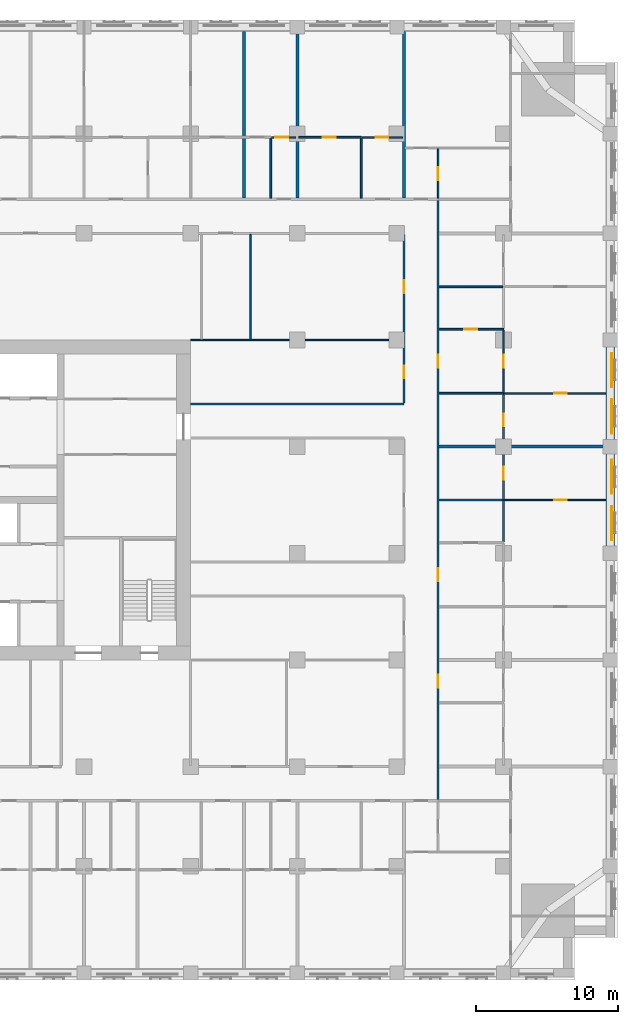
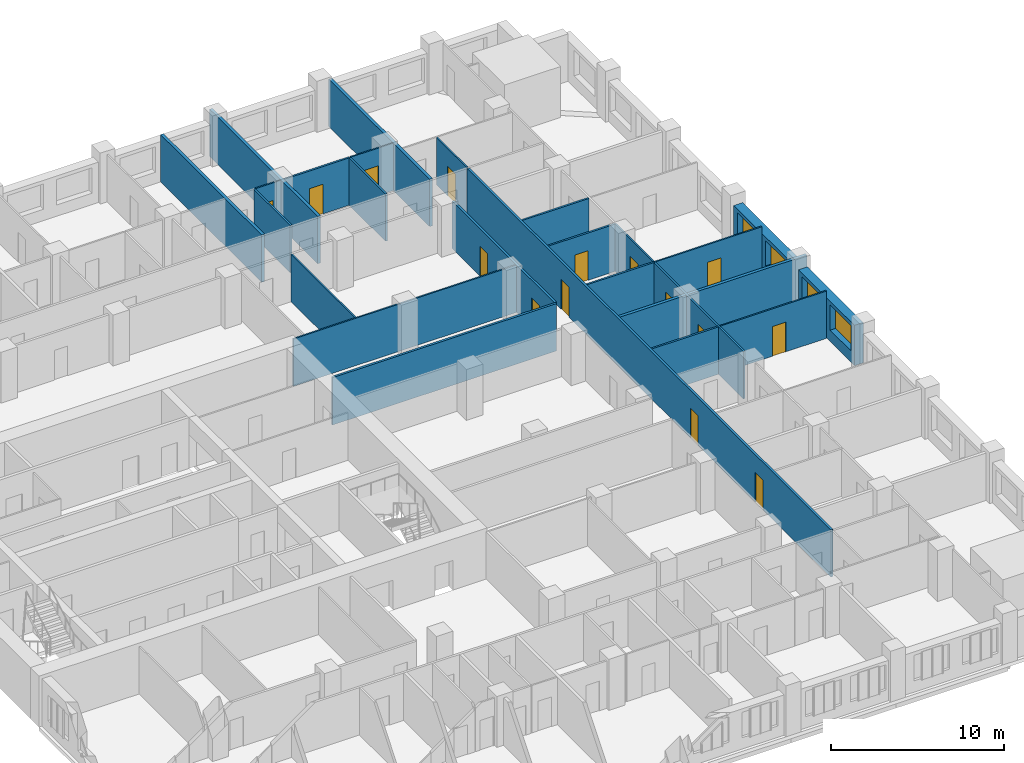
# One storey, part 10 of 14: 25 walls, 15 doors, 4 windows, 19 openings.
"""IFC4 building model written with IfcOpenShell, lengths in metres."""

from ifc_helpers import new_model, si_unit, direction, frame, frame_2d, origin, place, context, subcontext, project, spatial, rectangle, extrude, material, layer, layer_set, type_object, element, fill, save


model = new_model("IFC4")

# Units and contexts
model_context = context("Model", 3, precision=1e-05, world=origin(), true_north=direction((0.0, 1.0)))
body_context = subcontext(model_context, "Body", "Model", "MODEL_VIEW")
ifc_project = project(units=[si_unit("LENGTHUNIT", "METRE"), si_unit("AREAUNIT", "SQUARE_METRE"), si_unit("VOLUMEUNIT", "CUBIC_METRE"), si_unit("PLANEANGLEUNIT", "RADIAN"), si_unit("MASSUNIT", "GRAM", prefix="KILO")], contexts=[model_context])

# Site, building, storey
site_placement = place(None, origin())
site = spatial("IfcSite", under=ifc_project, at=site_placement, CompositionType="ELEMENT")
building_placement = place(site_placement, origin())
building = spatial("IfcBuilding", under=site, at=building_placement, Name="Tamorin Gate", CompositionType="ELEMENT")
storey_placement = place(building_placement, frame((0.0, 0.0, 89.89990234375)))
storey = spatial("IfcBuildingStorey", under=building, at=storey_placement, Name="L21", CompositionType="ELEMENT", Elevation=89.89990234375)

# Wall, openings, windows
ifc_material_1 = material(Name="Precast concrete C40/50", Category="concrete")
ifc_layer_1 = layer(ifc_material_1, 0.60009765625)
ifc_layer_set_1 = layer_set([ifc_layer_1], Name="Precast concrete C40/50")
wall_type_1 = type_object("IfcWallType", Name="Board-marked concrete facade panel 600", PredefinedType="SOLIDWALL", material=ifc_layer_set_1)
wall_1_placement = place(storey_placement, frame((89.5, 68.0, 0.0), z_axis=(0.0, 0.0, 1.0), x_axis=(0.0, 1.0, 0.0)))
wall_1 = element("IfcWall", 1, at=wall_1_placement, inside=storey, type_object=wall_type_1, Name="Facade panel", PredefinedType="SOLIDWALL", context=body_context, shape_type="SweptSolid", body=[
    extrude(rectangle(XDim=6.5, YDim=0.60009765625, at=frame_2d((3.25, 0.0))), origin(), (0.0, 0.0, 1.0), 2.85009765625),
])
opening_1_placement = place(wall_1_placement, frame((0.425048828125, 0.0, 0.800048828125)))
opening_1 = element("IfcOpeningElement", 2, at=opening_1_placement, cuts=wall_1, Name="Opening WN1", PredefinedType="OPENING", context=body_context, shape_type="SweptSolid", body=[
    extrude(rectangle(XDim=2.39990234375, YDim=1.800048828125, at=frame_2d((1.199951171875, 0.89990234375))), frame((0.0, 0.31005859375, 0.0), z_axis=(0.0, -1.0, 0.0), x_axis=(1.0, 0.0, 0.0)), (0.0, 0.0, 1.0), 0.6201171875),
])
opening_2_placement = place(wall_1_placement, frame((3.675048828125, 0.0, 0.800048828125)))
opening_2 = element("IfcOpeningElement", 3, at=opening_2_placement, cuts=wall_1, Name="Opening WN1", PredefinedType="OPENING", context=body_context, shape_type="SweptSolid", body=[
    extrude(rectangle(XDim=2.39990234375, YDim=1.800048828125, at=frame_2d((1.199951171875, 0.89990234375))), frame((0.0, 0.31005859375, 0.0), z_axis=(0.0, -1.0, 0.0), x_axis=(1.0, 0.0, 0.0)), (0.0, 0.0, 1.0), 0.6201171875),
])
ifc_material_2 = material(Name="Clear glass in aluminium frame", Category="aluminium")
window_type = type_object("IfcWindowType", Name="Deep-set window 2400x1800", PartitioningType="SINGLE_PANEL", PredefinedType="WINDOW", material=ifc_material_2)
window_1_placement = place(opening_1_placement, origin())
window_1 = element("IfcWindow", 4, at=window_1_placement, inside=storey, type_object=window_type, Name="Deep-set window", OverallHeight=1.800048828125, OverallWidth=2.39990234375, PartitioningType="SINGLE_PANEL", PredefinedType="WINDOW", context=body_context, shape_type="SweptSolid", body=[
    extrude(rectangle(XDim=2.39990234375, YDim=1.800048828125, at=frame_2d((1.199951171875, 0.89990234375))), frame((0.0, -0.070068359375, 0.0), z_axis=(0.0, -1.0, 0.0), x_axis=(1.0, 0.0, 0.0)), (0.0, 0.0, 1.0), 0.06005859375),
])
fill(opening_1, window_1)
window_2_placement = place(opening_2_placement, origin())
window_2 = element("IfcWindow", 5, at=window_2_placement, inside=storey, type_object=window_type, Name="Deep-set window", OverallHeight=1.800048828125, OverallWidth=2.39990234375, PartitioningType="SINGLE_PANEL", PredefinedType="WINDOW", context=body_context, shape_type="SweptSolid", body=[
    extrude(rectangle(XDim=2.39990234375, YDim=1.800048828125, at=frame_2d((1.199951171875, 0.89990234375))), frame((0.0, -0.070068359375, 0.0), z_axis=(0.0, -1.0, 0.0), x_axis=(1.0, 0.0, 0.0)), (0.0, 0.0, 1.0), 0.06005859375),
])
fill(opening_2, window_2)

wall_2_placement = place(storey_placement, frame((89.5, 75.5, 0.0), z_axis=(0.0, 0.0, 1.0), x_axis=(0.0, 1.0, 0.0)))
wall_2 = element("IfcWall", 6, at=wall_2_placement, inside=storey, type_object=wall_type_1, Name="Facade panel", PredefinedType="SOLIDWALL", context=body_context, shape_type="SweptSolid", body=[
    extrude(rectangle(XDim=6.5, YDim=0.60009765625, at=frame_2d((3.25, 0.0))), origin(), (0.0, 0.0, 1.0), 2.85009765625),
])
opening_3_placement = place(wall_2_placement, frame((0.425048828125, 0.0, 0.800048828125)))
opening_3 = element("IfcOpeningElement", 7, at=opening_3_placement, cuts=wall_2, Name="Opening WN1", PredefinedType="OPENING", context=body_context, shape_type="SweptSolid", body=[
    extrude(rectangle(XDim=2.39990234375, YDim=1.800048828125, at=frame_2d((1.199951171875, 0.89990234375))), frame((0.0, 0.31005859375, 0.0), z_axis=(0.0, -1.0, 0.0), x_axis=(1.0, 0.0, 0.0)), (0.0, 0.0, 1.0), 0.6201171875),
])
opening_4_placement = place(wall_2_placement, frame((3.675048828125, 0.0, 0.800048828125)))
opening_4 = element("IfcOpeningElement", 8, at=opening_4_placement, cuts=wall_2, Name="Opening WN1", PredefinedType="OPENING", context=body_context, shape_type="SweptSolid", body=[
    extrude(rectangle(XDim=2.39990234375, YDim=1.800048828125, at=frame_2d((1.199951171875, 0.89990234375))), frame((0.0, 0.31005859375, 0.0), z_axis=(0.0, -1.0, 0.0), x_axis=(1.0, 0.0, 0.0)), (0.0, 0.0, 1.0), 0.6201171875),
])
window_3_placement = place(opening_3_placement, origin())
window_3 = element("IfcWindow", 9, at=window_3_placement, inside=storey, type_object=window_type, Name="Deep-set window", OverallHeight=1.800048828125, OverallWidth=2.39990234375, PartitioningType="SINGLE_PANEL", PredefinedType="WINDOW", context=body_context, shape_type="SweptSolid", body=[
    extrude(rectangle(XDim=2.39990234375, YDim=1.800048828125, at=frame_2d((1.199951171875, 0.89990234375))), frame((0.0, -0.070068359375, 0.0), z_axis=(0.0, -1.0, 0.0), x_axis=(1.0, 0.0, 0.0)), (0.0, 0.0, 1.0), 0.06005859375),
])
fill(opening_3, window_3)
window_4_placement = place(opening_4_placement, origin())
window_4 = element("IfcWindow", 10, at=window_4_placement, inside=storey, type_object=window_type, Name="Deep-set window", OverallHeight=1.800048828125, OverallWidth=2.39990234375, PartitioningType="SINGLE_PANEL", PredefinedType="WINDOW", context=body_context, shape_type="SweptSolid", body=[
    extrude(rectangle(XDim=2.39990234375, YDim=1.800048828125, at=frame_2d((1.199951171875, 0.89990234375))), frame((0.0, -0.070068359375, 0.0), z_axis=(0.0, -1.0, 0.0), x_axis=(1.0, 0.0, 0.0)), (0.0, 0.0, 1.0), 0.06005859375),
])
fill(opening_4, window_4)

# Wall, openings, doors
ifc_material_3 = material(Name="Gypsum board partition")
ifc_layer_2 = layer(ifc_material_3, 0.14990234375)
ifc_layer_set_2 = layer_set([ifc_layer_2], Name="Corridor wall 150")
wall_type_2 = type_object("IfcWallType", Name="Corridor wall 150", PredefinedType="PARTITIONING", material=ifc_layer_set_2)
wall_3_placement = place(storey_placement, frame((75.0, 78.074951171875, 0.0), z_axis=(0.0, 0.0, 1.0), x_axis=(0.0, 1.0, 0.0)))
wall_3 = element("IfcWall", 11, at=wall_3_placement, inside=storey, type_object=wall_type_2, Name="Corridor wall 150", PredefinedType="PARTITIONING", context=body_context, shape_type="SweptSolid", body=[
    extrude(rectangle(XDim=11.85009765625, YDim=0.14990234375, at=frame_2d((5.925048828125, 0.0))), origin(), (0.0, 0.0, 1.0), 3.35009765625),
])
opening_5_placement = place(wall_3_placement, frame((7.72509765625, 0.0, 0.0)))
opening_5 = element("IfcOpeningElement", 12, at=opening_5_placement, cuts=wall_3, Name="Opening DH8081", PredefinedType="OPENING", context=body_context, shape_type="SweptSolid", body=[
    extrude(rectangle(XDim=0.89990234375, YDim=2.10009765625, at=frame_2d((0.449951171875, 1.050048828125))), frame((0.0, 0.0849609375, 0.0), z_axis=(0.0, -1.0, 0.0), x_axis=(1.0, 0.0, 0.0)), (0.0, 0.0, 1.0), 0.169921875),
])
opening_6_placement = place(wall_3_placement, frame((1.72509765625, 0.0, 0.0)))
opening_6 = element("IfcOpeningElement", 13, at=opening_6_placement, cuts=wall_3, Name="Opening DH8084", PredefinedType="OPENING", context=body_context, shape_type="SweptSolid", body=[
    extrude(rectangle(XDim=0.89990234375, YDim=2.10009765625, at=frame_2d((0.449951171875, 1.050048828125))), frame((0.0, 0.0849609375, 0.0), z_axis=(0.0, -1.0, 0.0), x_axis=(1.0, 0.0, 0.0)), (0.0, 0.0, 1.0), 0.169921875),
])
ifc_material_4 = material(Name="Timber door leaf", Category="wood")
door_type_1 = type_object("IfcDoorType", Name="Door 900 x 2100 FD30S", OperationType="NOTDEFINED", PredefinedType="DOOR", material=ifc_material_4)
door_1_placement = place(opening_5_placement, origin())
door_1 = element("IfcDoor", 14, at=door_1_placement, inside=storey, type_object=door_type_1, Name="Door DH8081", OperationType="SINGLE_SWING_LEFT", OverallHeight=2.10009765625, OverallWidth=0.89990234375, PredefinedType="DOOR", context=body_context, shape_type="SweptSolid", body=[
    extrude(rectangle(XDim=0.89990234375, YDim=2.10009765625, at=frame_2d((0.449951171875, 1.050048828125))), frame((0.0, 0.02490234375, 0.0), z_axis=(0.0, -1.0, 0.0), x_axis=(1.0, 0.0, 0.0)), (0.0, 0.0, 1.0), 0.050048828125),
])
fill(opening_5, door_1)
door_2_placement = place(opening_6_placement, origin())
door_2 = element("IfcDoor", 15, at=door_2_placement, inside=storey, type_object=door_type_1, Name="Door DH8084", OperationType="SINGLE_SWING_LEFT", OverallHeight=2.10009765625, OverallWidth=0.89990234375, PredefinedType="DOOR", context=body_context, shape_type="SweptSolid", body=[
    extrude(rectangle(XDim=0.89990234375, YDim=2.10009765625, at=frame_2d((0.449951171875, 1.050048828125))), frame((0.0, 0.02490234375, 0.0), z_axis=(0.0, -1.0, 0.0), x_axis=(1.0, 0.0, 0.0)), (0.0, 0.0, 1.0), 0.050048828125),
])
fill(opening_6, door_2)

wall_4_placement = place(storey_placement, frame((77.39990234375, 50.175048828125, 0.0), z_axis=(0.0, 0.0, 1.0), x_axis=(0.0, 1.0, 0.0)))
wall_4 = element("IfcWall", 16, at=wall_4_placement, inside=storey, type_object=wall_type_2, Name="Corridor wall 150", PredefinedType="PARTITIONING", context=body_context, shape_type="SweptSolid", body=[
    extrude(rectangle(XDim=42.14990234375, YDim=0.14990234375, at=frame_2d((21.074951171875, 0.0))), origin(), (0.0, 0.0, 1.0), 3.35009765625),
])
opening_7_placement = place(wall_4_placement, frame((7.875, 0.0, 0.0)))
opening_7 = element("IfcOpeningElement", 17, at=opening_7_placement, cuts=wall_4, Name="Opening DH8044", PredefinedType="OPENING", context=body_context, shape_type="SweptSolid", body=[
    extrude(rectangle(XDim=0.89990234375, YDim=2.10009765625, at=frame_2d((0.449951171875, 1.050048828125))), frame((0.0, 0.0849609375, 0.0), z_axis=(0.0, -1.0, 0.0), x_axis=(1.0, 0.0, 0.0)), (0.0, 0.0, 1.0), 0.169921875),
])
opening_8_placement = place(wall_4_placement, frame((15.375, 0.0, 0.0)))
opening_8 = element("IfcOpeningElement", 18, at=opening_8_placement, cuts=wall_4, Name="Opening DH8047", PredefinedType="OPENING", context=body_context, shape_type="SweptSolid", body=[
    extrude(rectangle(XDim=0.89990234375, YDim=2.10009765625, at=frame_2d((0.449951171875, 1.050048828125))), frame((0.0, 0.0849609375, 0.0), z_axis=(0.0, -1.0, 0.0), x_axis=(1.0, 0.0, 0.0)), (0.0, 0.0, 1.0), 0.169921875),
])
opening_9_placement = place(wall_4_placement, frame((30.375, 0.0, 0.0)))
opening_9 = element("IfcOpeningElement", 19, at=opening_9_placement, cuts=wall_4, Name="Opening DH8054", PredefinedType="OPENING", context=body_context, shape_type="SweptSolid", body=[
    extrude(rectangle(XDim=0.89990234375, YDim=2.10009765625, at=frame_2d((0.449951171875, 1.050048828125))), frame((0.0, 0.0849609375, 0.0), z_axis=(0.0, -1.0, 0.0), x_axis=(1.0, 0.0, 0.0)), (0.0, 0.0, 1.0), 0.169921875),
])
door_3_placement = place(opening_7_placement, origin())
door_3 = element("IfcDoor", 20, at=door_3_placement, inside=storey, type_object=door_type_1, Name="Door DH8044", OperationType="SINGLE_SWING_RIGHT", OverallHeight=2.10009765625, OverallWidth=0.89990234375, PredefinedType="DOOR", context=body_context, shape_type="SweptSolid", body=[
    extrude(rectangle(XDim=0.89990234375, YDim=2.10009765625, at=frame_2d((0.449951171875, 1.050048828125))), frame((0.0, 0.02490234375, 0.0), z_axis=(0.0, -1.0, 0.0), x_axis=(1.0, 0.0, 0.0)), (0.0, 0.0, 1.0), 0.050048828125),
])
fill(opening_7, door_3)
door_4_placement = place(opening_8_placement, origin())
door_4 = element("IfcDoor", 21, at=door_4_placement, inside=storey, type_object=door_type_1, Name="Door DH8047", OperationType="SINGLE_SWING_RIGHT", OverallHeight=2.10009765625, OverallWidth=0.89990234375, PredefinedType="DOOR", context=body_context, shape_type="SweptSolid", body=[
    extrude(rectangle(XDim=0.89990234375, YDim=2.10009765625, at=frame_2d((0.449951171875, 1.050048828125))), frame((0.0, 0.02490234375, 0.0), z_axis=(0.0, -1.0, 0.0), x_axis=(1.0, 0.0, 0.0)), (0.0, 0.0, 1.0), 0.050048828125),
])
fill(opening_8, door_4)
door_5_placement = place(opening_9_placement, origin())
door_5 = element("IfcDoor", 22, at=door_5_placement, inside=storey, type_object=door_type_1, Name="Door DH8054", OperationType="SINGLE_SWING_RIGHT", OverallHeight=2.10009765625, OverallWidth=0.89990234375, PredefinedType="DOOR", context=body_context, shape_type="SweptSolid", body=[
    extrude(rectangle(XDim=0.89990234375, YDim=2.10009765625, at=frame_2d((0.449951171875, 1.050048828125))), frame((0.0, 0.02490234375, 0.0), z_axis=(0.0, -1.0, 0.0), x_axis=(1.0, 0.0, 0.0)), (0.0, 0.0, 1.0), 0.050048828125),
])
fill(opening_9, door_5)

# Walls
ifc_layer_3 = layer(ifc_material_3, 0.199951171875)
ifc_layer_set_3 = layer_set([ifc_layer_3], Name="Demising wall 200")
wall_type_3 = type_object("IfcWallType", Name="Demising wall 200", PredefinedType="PARTITIONING", material=ifc_layer_set_3)
wall_5_placement = place(storey_placement, frame((77.47509765625, 75.0, 0.0), z_axis=(0.0, 0.0, 1.0), x_axis=(1.0, 0.0, 0.0)))
element("IfcWall", 23, at=wall_5_placement, inside=storey, type_object=wall_type_3, Name="Demising wall 200", PredefinedType="PARTITIONING", context=body_context, shape_type="SweptSolid", body=[
    extrude(rectangle(XDim=12.52490234375, YDim=0.199951171875, at=frame_2d((6.262451171875, 0.0))), origin(), (0.0, 0.0, 1.0), 3.35009765625),
])
wall_6_placement = place(storey_placement, frame((63.75, 92.47509765625, 0.0), z_axis=(0.0, 0.0, 1.0), x_axis=(0.0, 1.0, 0.0)))
element("IfcWall", 24, at=wall_6_placement, inside=storey, type_object=wall_type_3, Name="Demising wall 200", PredefinedType="PARTITIONING", context=body_context, shape_type="SweptSolid", body=[
    extrude(rectangle(XDim=11.71484375, YDim=0.199951171875, at=frame_2d((5.857421875, 0.0))), origin(), (0.0, 0.0, 1.0), 3.35009765625),
])
wall_7_placement = place(storey_placement, frame((67.5, 92.47509765625, 0.0), z_axis=(0.0, 0.0, 1.0), x_axis=(0.0, 1.0, 0.0)))
element("IfcWall", 25, at=wall_7_placement, inside=storey, type_object=wall_type_3, Name="Demising wall 200", PredefinedType="PARTITIONING", context=body_context, shape_type="SweptSolid", body=[
    extrude(rectangle(XDim=12.52490234375, YDim=0.199951171875, at=frame_2d((6.262451171875, 0.0))), origin(), (0.0, 0.0, 1.0), 3.35009765625),
])
wall_8_placement = place(storey_placement, frame((75.0, 92.47509765625, 0.0), z_axis=(0.0, 0.0, 1.0), x_axis=(0.0, 1.0, 0.0)))
element("IfcWall", 26, at=wall_8_placement, inside=storey, type_object=wall_type_3, Name="Demising wall 200", PredefinedType="PARTITIONING", context=body_context, shape_type="SweptSolid", body=[
    extrude(rectangle(XDim=11.71484375, YDim=0.199951171875, at=frame_2d((5.857421875, 0.0))), origin(), (0.0, 0.0, 1.0), 3.35009765625),
])
ifc_layer_4 = layer(ifc_material_3, 0.14990234375)
ifc_layer_set_4 = layer_set([ifc_layer_4], Name="Lobby wall 150")
wall_type_4 = type_object("IfcWallType", Name="Lobby wall 150", PredefinedType="PARTITIONING", material=ifc_layer_set_4)
wall_9_placement = place(storey_placement, frame((60.0, 78.0, 0.0), z_axis=(0.0, 0.0, 1.0), x_axis=(1.0, 0.0, 0.0)))
element("IfcWall", 27, at=wall_9_placement, inside=storey, type_object=wall_type_4, Name="Lobby wall 150", PredefinedType="PARTITIONING", context=body_context, shape_type="SweptSolid", body=[
    extrude(rectangle(XDim=15.0, YDim=0.14990234375, at=frame_2d((7.5, 0.0))), origin(), (0.0, 0.0, 1.0), 3.35009765625),
])

# Wall, opening, door
ifc_layer_5 = layer(ifc_material_3, 0.10009765625)
ifc_layer_set_5 = layer_set([ifc_layer_5], Name="Room partition 100")
wall_type_5 = type_object("IfcWallType", Name="Room partition 100", PredefinedType="PARTITIONING", material=ifc_layer_set_5)
wall_10_placement = place(storey_placement, frame((82.0625, 71.25, 0.0), z_axis=(0.0, 0.0, 1.0), x_axis=(1.0, 0.0, 0.0)))
wall_10 = element("IfcWall", 28, at=wall_10_placement, inside=storey, type_object=wall_type_5, Name="Room partition 100", PredefinedType="PARTITIONING", context=body_context, shape_type="SweptSolid", body=[
    extrude(rectangle(XDim=7.12744140625, YDim=0.10009765625, at=frame_2d((3.563720703125, 0.0))), origin(), (0.0, 0.0, 1.0), 3.35009765625),
])
opening_10_placement = place(wall_10_placement, frame((3.487548828125, 0.0, 0.0)))
opening_10 = element("IfcOpeningElement", 29, at=opening_10_placement, cuts=wall_10, Name="Opening DH8052", PredefinedType="OPENING", context=body_context, shape_type="SweptSolid", body=[
    extrude(rectangle(XDim=0.89990234375, YDim=2.10009765625, at=frame_2d((0.449951171875, 1.050048828125))), frame((0.0, 0.06005859375, 0.0), z_axis=(0.0, -1.0, 0.0), x_axis=(1.0, 0.0, 0.0)), (0.0, 0.0, 1.0), 0.1201171875),
])
door_type_2 = type_object("IfcDoorType", Name="Door 900 x 2100", OperationType="NOTDEFINED", PredefinedType="DOOR", material=ifc_material_4)
door_6_placement = place(opening_10_placement, origin())
door_6 = element("IfcDoor", 30, at=door_6_placement, inside=storey, type_object=door_type_2, Name="Door DH8052", OperationType="SINGLE_SWING_RIGHT", OverallHeight=2.10009765625, OverallWidth=0.89990234375, PredefinedType="DOOR", context=body_context, shape_type="SweptSolid", body=[
    extrude(rectangle(XDim=0.89990234375, YDim=2.10009765625, at=frame_2d((0.449951171875, 1.050048828125))), frame((0.0, 0.02490234375, 0.0), z_axis=(0.0, -1.0, 0.0), x_axis=(1.0, 0.0, 0.0)), (0.0, 0.0, 1.0), 0.050048828125),
])
fill(opening_10, door_6)

wall_11_placement = place(storey_placement, frame((82.0625, 78.75, 0.0), z_axis=(0.0, 0.0, 1.0), x_axis=(1.0, 0.0, 0.0)))
wall_11 = element("IfcWall", 31, at=wall_11_placement, inside=storey, type_object=wall_type_5, Name="Room partition 100", PredefinedType="PARTITIONING", context=body_context, shape_type="SweptSolid", body=[
    extrude(rectangle(XDim=7.12744140625, YDim=0.10009765625, at=frame_2d((3.563720703125, 0.0))), origin(), (0.0, 0.0, 1.0), 3.35009765625),
])
opening_11_placement = place(wall_11_placement, frame((3.487548828125, 0.0, 0.0)))
opening_11 = element("IfcOpeningElement", 32, at=opening_11_placement, cuts=wall_11, Name="Opening DH8058", PredefinedType="OPENING", context=body_context, shape_type="SweptSolid", body=[
    extrude(rectangle(XDim=0.89990234375, YDim=2.10009765625, at=frame_2d((0.449951171875, 1.050048828125))), frame((0.0, 0.06005859375, 0.0), z_axis=(0.0, -1.0, 0.0), x_axis=(1.0, 0.0, 0.0)), (0.0, 0.0, 1.0), 0.1201171875),
])
door_7_placement = place(opening_11_placement, origin())
door_7 = element("IfcDoor", 33, at=door_7_placement, inside=storey, type_object=door_type_2, Name="Door DH8058", OperationType="SINGLE_SWING_RIGHT", OverallHeight=2.10009765625, OverallWidth=0.89990234375, PredefinedType="DOOR", context=body_context, shape_type="SweptSolid", body=[
    extrude(rectangle(XDim=0.89990234375, YDim=2.10009765625, at=frame_2d((0.449951171875, 1.050048828125))), frame((0.0, 0.02490234375, 0.0), z_axis=(0.0, -1.0, 0.0), x_axis=(1.0, 0.0, 0.0)), (0.0, 0.0, 1.0), 0.050048828125),
])
fill(opening_11, door_7)

# Wall
wall_12_placement = place(storey_placement, frame((60.0, 82.5, 0.0), z_axis=(0.0, 0.0, 1.0), x_axis=(1.0, 0.0, 0.0)))
element("IfcWall", 34, at=wall_12_placement, inside=storey, type_object=wall_type_5, Name="Room partition 100", PredefinedType="PARTITIONING", context=body_context, shape_type="SweptSolid", body=[
    extrude(rectangle(XDim=14.925048828125, YDim=0.10009765625, at=frame_2d((7.46240234375, 0.0))), origin(), (0.0, 0.0, 1.0), 3.35009765625),
])

# Wall, opening, door
wall_13_placement = place(storey_placement, frame((65.6875, 96.75, 0.0), z_axis=(0.0, 0.0, 1.0), x_axis=(1.0, 0.0, 0.0)))
wall_13 = element("IfcWall", 35, at=wall_13_placement, inside=storey, type_object=wall_type_5, Name="Room partition 100", PredefinedType="PARTITIONING", context=body_context, shape_type="SweptSolid", body=[
    extrude(rectangle(XDim=1.71240234375, YDim=0.10009765625, at=frame_2d((0.856201171875, 0.0))), origin(), (0.0, 0.0, 1.0), 3.35009765625),
])
opening_12_placement = place(wall_13_placement, frame((0.27490234375, 0.0, 0.0)))
opening_12 = element("IfcOpeningElement", 36, at=opening_12_placement, cuts=wall_13, Name="Opening DH8039", PredefinedType="OPENING", context=body_context, shape_type="SweptSolid", body=[
    extrude(rectangle(XDim=0.89990234375, YDim=2.10009765625, at=frame_2d((0.449951171875, 1.050048828125))), frame((0.0, 0.06005859375, 0.0), z_axis=(0.0, -1.0, 0.0), x_axis=(1.0, 0.0, 0.0)), (0.0, 0.0, 1.0), 0.1201171875),
])
door_8_placement = place(opening_12_placement, origin())
door_8 = element("IfcDoor", 37, at=door_8_placement, inside=storey, type_object=door_type_2, Name="Door DH8039", OperationType="SINGLE_SWING_RIGHT", OverallHeight=2.10009765625, OverallWidth=0.89990234375, PredefinedType="DOOR", context=body_context, shape_type="SweptSolid", body=[
    extrude(rectangle(XDim=0.89990234375, YDim=2.10009765625, at=frame_2d((0.449951171875, 1.050048828125))), frame((0.0, 0.02490234375, 0.0), z_axis=(0.0, -1.0, 0.0), x_axis=(1.0, 0.0, 0.0)), (0.0, 0.0, 1.0), 0.050048828125),
])
fill(opening_12, door_8)

wall_14_placement = place(storey_placement, frame((72.0625, 96.75, 0.0), z_axis=(0.0, 0.0, 1.0), x_axis=(1.0, 0.0, 0.0)))
wall_14 = element("IfcWall", 38, at=wall_14_placement, inside=storey, type_object=wall_type_5, Name="Room partition 100", PredefinedType="PARTITIONING", context=body_context, shape_type="SweptSolid", body=[
    extrude(rectangle(XDim=2.83740234375, YDim=0.10009765625, at=frame_2d((1.418701171875, 0.0))), origin(), (0.0, 0.0, 1.0), 3.35009765625),
])
opening_13_placement = place(wall_14_placement, frame((0.9375, 0.0, 0.0)))
opening_13 = element("IfcOpeningElement", 39, at=opening_13_placement, cuts=wall_14, Name="Opening DH8042", PredefinedType="OPENING", context=body_context, shape_type="SweptSolid", body=[
    extrude(rectangle(XDim=0.89990234375, YDim=2.10009765625, at=frame_2d((0.449951171875, 1.050048828125))), frame((0.0, 0.06005859375, 0.0), z_axis=(0.0, -1.0, 0.0), x_axis=(1.0, 0.0, 0.0)), (0.0, 0.0, 1.0), 0.1201171875),
])
door_9_placement = place(opening_13_placement, origin())
door_9 = element("IfcDoor", 40, at=door_9_placement, inside=storey, type_object=door_type_2, Name="Door DH8042", OperationType="SINGLE_SWING_RIGHT", OverallHeight=2.10009765625, OverallWidth=0.89990234375, PredefinedType="DOOR", context=body_context, shape_type="SweptSolid", body=[
    extrude(rectangle(XDim=0.89990234375, YDim=2.10009765625, at=frame_2d((0.449951171875, 1.050048828125))), frame((0.0, 0.02490234375, 0.0), z_axis=(0.0, -1.0, 0.0), x_axis=(1.0, 0.0, 0.0)), (0.0, 0.0, 1.0), 0.050048828125),
])
fill(opening_13, door_9)

# Wall
wall_15_placement = place(storey_placement, frame((64.199951171875, 82.550048828125, 0.0), z_axis=(0.0, 0.0, 1.0), x_axis=(0.0, 1.0, 0.0)))
element("IfcWall", 41, at=wall_15_placement, inside=storey, type_object=wall_type_5, Name="Room partition 100", PredefinedType="PARTITIONING", context=body_context, shape_type="SweptSolid", body=[
    extrude(rectangle(XDim=7.375, YDim=0.10009765625, at=frame_2d((3.6875, 0.0))), origin(), (0.0, 0.0, 1.0), 3.35009765625),
])

# Wall, opening, door
wall_16_placement = place(storey_placement, frame((77.39990234375, 92.47509765625, 0.0), z_axis=(0.0, 0.0, 1.0), x_axis=(0.0, 1.0, 0.0)))
wall_16 = element("IfcWall", 42, at=wall_16_placement, inside=storey, type_object=wall_type_5, Name="Room partition 100", PredefinedType="PARTITIONING", context=body_context, shape_type="SweptSolid", body=[
    extrude(rectangle(XDim=3.474853515625, YDim=0.10009765625, at=frame_2d((1.7373046875, 0.0))), origin(), (0.0, 0.0, 1.0), 3.35009765625),
])
opening_14_placement = place(wall_16_placement, frame((1.27490234375, 0.0, 0.0)))
opening_14 = element("IfcOpeningElement", 43, at=opening_14_placement, cuts=wall_16, Name="Opening DH8068", PredefinedType="OPENING", context=body_context, shape_type="SweptSolid", body=[
    extrude(rectangle(XDim=0.89990234375, YDim=2.10009765625, at=frame_2d((0.449951171875, 1.050048828125))), frame((0.0, 0.06005859375, 0.0), z_axis=(0.0, -1.0, 0.0), x_axis=(1.0, 0.0, 0.0)), (0.0, 0.0, 1.0), 0.1201171875),
])
door_10_placement = place(opening_14_placement, origin())
door_10 = element("IfcDoor", 44, at=door_10_placement, inside=storey, type_object=door_type_2, Name="Door DH8068", OperationType="SINGLE_SWING_RIGHT", OverallHeight=2.10009765625, OverallWidth=0.89990234375, PredefinedType="DOOR", context=body_context, shape_type="SweptSolid", body=[
    extrude(rectangle(XDim=0.89990234375, YDim=2.10009765625, at=frame_2d((0.449951171875, 1.050048828125))), frame((0.0, 0.02490234375, 0.0), z_axis=(0.0, -1.0, 0.0), x_axis=(1.0, 0.0, 0.0)), (0.0, 0.0, 1.0), 0.050048828125),
])
fill(opening_14, door_10)

wall_17_placement = place(storey_placement, frame((82.0, 78.8125, 0.0), z_axis=(0.0, 0.0, 1.0), x_axis=(0.0, 1.0, 0.0)))
wall_17 = element("IfcWall", 45, at=wall_17_placement, inside=storey, type_object=wall_type_5, Name="Room partition 100", PredefinedType="PARTITIONING", context=body_context, shape_type="SweptSolid", body=[
    extrude(rectangle(XDim=4.375, YDim=0.10009765625, at=frame_2d((2.1875, 0.0))), origin(), (0.0, 0.0, 1.0), 3.35009765625),
])
opening_15_placement = place(wall_17_placement, frame((1.737548828125, 0.0, 0.0)))
opening_15 = element("IfcOpeningElement", 46, at=opening_15_placement, cuts=wall_17, Name="Opening DH8055", PredefinedType="OPENING", context=body_context, shape_type="SweptSolid", body=[
    extrude(rectangle(XDim=0.89990234375, YDim=2.10009765625, at=frame_2d((0.449951171875, 1.050048828125))), frame((0.0, 0.06005859375, 0.0), z_axis=(0.0, -1.0, 0.0), x_axis=(1.0, 0.0, 0.0)), (0.0, 0.0, 1.0), 0.1201171875),
])
door_11_placement = place(opening_15_placement, origin())
door_11 = element("IfcDoor", 47, at=door_11_placement, inside=storey, type_object=door_type_2, Name="Door DH8055", OperationType="SINGLE_SWING_LEFT", OverallHeight=2.10009765625, OverallWidth=0.89990234375, PredefinedType="DOOR", context=body_context, shape_type="SweptSolid", body=[
    extrude(rectangle(XDim=0.89990234375, YDim=2.10009765625, at=frame_2d((0.449951171875, 1.050048828125))), frame((0.0, 0.02490234375, 0.0), z_axis=(0.0, -1.0, 0.0), x_axis=(1.0, 0.0, 0.0)), (0.0, 0.0, 1.0), 0.050048828125),
])
fill(opening_15, door_11)

# Walls
ifc_layer_6 = layer(ifc_material_3, 0.125)
ifc_layer_set_6 = layer_set([ifc_layer_6], Name="Wet wall 125")
wall_type_6 = type_object("IfcWallType", Name="Wet wall 125", PredefinedType="PARTITIONING", material=ifc_layer_set_6)
wall_18_placement = place(storey_placement, frame((77.47509765625, 71.25, 0.0), z_axis=(0.0, 0.0, 1.0), x_axis=(1.0, 0.0, 0.0)))
element("IfcWall", 48, at=wall_18_placement, inside=storey, type_object=wall_type_6, Name="Wet wall 125", PredefinedType="PARTITIONING", context=body_context, shape_type="SweptSolid", body=[
    extrude(rectangle(XDim=4.46240234375, YDim=0.125, at=frame_2d((2.231201171875, 0.0))), origin(), (0.0, 0.0, 1.0), 3.35009765625),
])
wall_19_placement = place(storey_placement, frame((77.47509765625, 78.75, 0.0), z_axis=(0.0, 0.0, 1.0), x_axis=(1.0, 0.0, 0.0)))
element("IfcWall", 49, at=wall_19_placement, inside=storey, type_object=wall_type_6, Name="Wet wall 125", PredefinedType="PARTITIONING", context=body_context, shape_type="SweptSolid", body=[
    extrude(rectangle(XDim=4.52490234375, YDim=0.125, at=frame_2d((2.262451171875, 0.0))), origin(), (0.0, 0.0, 1.0), 3.35009765625),
])

# Wall, opening, door
wall_20_placement = place(storey_placement, frame((77.47509765625, 83.25, 0.0), z_axis=(0.0, 0.0, 1.0), x_axis=(1.0, 0.0, 0.0)))
wall_20 = element("IfcWall", 50, at=wall_20_placement, inside=storey, type_object=wall_type_6, Name="Wet wall 125", PredefinedType="PARTITIONING", context=body_context, shape_type="SweptSolid", body=[
    extrude(rectangle(XDim=4.52490234375, YDim=0.125, at=frame_2d((2.262451171875, 0.0))), origin(), (0.0, 0.0, 1.0), 3.35009765625),
])
opening_16_placement = place(wall_20_placement, frame((1.77490234375, 0.0, 0.0)))
opening_16 = element("IfcOpeningElement", 51, at=opening_16_placement, cuts=wall_20, Name="Opening DH8056", PredefinedType="OPENING", context=body_context, shape_type="SweptSolid", body=[
    extrude(rectangle(XDim=0.89990234375, YDim=2.10009765625, at=frame_2d((0.449951171875, 1.050048828125))), frame((0.0, 0.072509765625, 0.0), z_axis=(0.0, -1.0, 0.0), x_axis=(1.0, 0.0, 0.0)), (0.0, 0.0, 1.0), 0.14501953125),
])
door_12_placement = place(opening_16_placement, origin())
door_12 = element("IfcDoor", 52, at=door_12_placement, inside=storey, type_object=door_type_2, Name="Door DH8056", OperationType="SINGLE_SWING_RIGHT", OverallHeight=2.10009765625, OverallWidth=0.89990234375, PredefinedType="DOOR", context=body_context, shape_type="SweptSolid", body=[
    extrude(rectangle(XDim=0.89990234375, YDim=2.10009765625, at=frame_2d((0.449951171875, 1.050048828125))), frame((0.0, 0.02490234375, 0.0), z_axis=(0.0, -1.0, 0.0), x_axis=(1.0, 0.0, 0.0)), (0.0, 0.0, 1.0), 0.050048828125),
])
fill(opening_16, door_12)

# Wall
wall_21_placement = place(storey_placement, frame((77.47509765625, 86.25, 0.0), z_axis=(0.0, 0.0, 1.0), x_axis=(1.0, 0.0, 0.0)))
element("IfcWall", 53, at=wall_21_placement, inside=storey, type_object=wall_type_6, Name="Wet wall 125", PredefinedType="PARTITIONING", context=body_context, shape_type="SweptSolid", body=[
    extrude(rectangle(XDim=4.46240234375, YDim=0.125, at=frame_2d((2.231201171875, 0.0))), origin(), (0.0, 0.0, 1.0), 3.35009765625),
])

# Wall, opening, door
wall_22_placement = place(storey_placement, frame((67.60009765625, 96.75, 0.0), z_axis=(0.0, 0.0, 1.0), x_axis=(1.0, 0.0, 0.0)))
wall_22 = element("IfcWall", 54, at=wall_22_placement, inside=storey, type_object=wall_type_6, Name="Wet wall 125", PredefinedType="PARTITIONING", context=body_context, shape_type="SweptSolid", body=[
    extrude(rectangle(XDim=4.39990234375, YDim=0.125, at=frame_2d((2.199951171875, 0.0))), origin(), (0.0, 0.0, 1.0), 3.35009765625),
])
opening_17_placement = place(wall_22_placement, frame((1.699951171875, 0.0, 0.0)))
opening_17 = element("IfcOpeningElement", 55, at=opening_17_placement, cuts=wall_22, Name="Opening DH8040", PredefinedType="OPENING", context=body_context, shape_type="SweptSolid", body=[
    extrude(rectangle(XDim=0.89990234375, YDim=2.10009765625, at=frame_2d((0.449951171875, 1.050048828125))), frame((0.0, 0.072509765625, 0.0), z_axis=(0.0, -1.0, 0.0), x_axis=(1.0, 0.0, 0.0)), (0.0, 0.0, 1.0), 0.14501953125),
])
door_13_placement = place(opening_17_placement, origin())
door_13 = element("IfcDoor", 56, at=door_13_placement, inside=storey, type_object=door_type_2, Name="Door DH8040", OperationType="SINGLE_SWING_RIGHT", OverallHeight=2.10009765625, OverallWidth=0.89990234375, PredefinedType="DOOR", context=body_context, shape_type="SweptSolid", body=[
    extrude(rectangle(XDim=0.89990234375, YDim=2.10009765625, at=frame_2d((0.449951171875, 1.050048828125))), frame((0.0, 0.02490234375, 0.0), z_axis=(0.0, -1.0, 0.0), x_axis=(1.0, 0.0, 0.0)), (0.0, 0.0, 1.0), 0.050048828125),
])
fill(opening_17, door_13)

# Walls
for number, where, z_axis, x_axis, name in (
    (57, (65.625, 92.47509765625, 0.0), (0.0, 0.0, 1.0), (0.0, 1.0, 0.0), "Wet wall 125"),
    (58, (72.0, 92.47509765625, 0.0), (0.0, 0.0, 1.0), (0.0, 1.0, 0.0), "Wet wall 125"),
):
    element("IfcWall", number, at=place(storey_placement, frame(where, z_axis=z_axis, x_axis=x_axis)), inside=storey, type_object=wall_type_6, Name=name, PredefinedType="PARTITIONING", context=body_context, shape_type="SweptSolid", body=[
        extrude(rectangle(XDim=4.21240234375, YDim=0.125, at=frame_2d((2.106201171875, 0.0))), origin(), (0.0, 0.0, 1.0), 3.35009765625),
    ])

# Wall, openings, doors
wall_23_placement = place(storey_placement, frame((82.0, 68.3125, 0.0), z_axis=(0.0, 0.0, 1.0), x_axis=(0.0, 1.0, 0.0)))
wall_23 = element("IfcWall", 59, at=wall_23_placement, inside=storey, type_object=wall_type_6, Name="Wet wall 125", PredefinedType="PARTITIONING", context=body_context, shape_type="SweptSolid", body=[
    extrude(rectangle(XDim=10.375, YDim=0.125, at=frame_2d((5.1875, 0.0))), origin(), (0.0, 0.0, 1.0), 3.35009765625),
])
opening_18_placement = place(wall_23_placement, frame((4.362548828125, 0.0, 0.0)))
opening_18 = element("IfcOpeningElement", 60, at=opening_18_placement, cuts=wall_23, Name="Opening DH8050", PredefinedType="OPENING", context=body_context, shape_type="SweptSolid", body=[
    extrude(rectangle(XDim=0.89990234375, YDim=2.10009765625, at=frame_2d((0.449951171875, 1.050048828125))), frame((0.0, 0.072509765625, 0.0), z_axis=(0.0, -1.0, 0.0), x_axis=(1.0, 0.0, 0.0)), (0.0, 0.0, 1.0), 0.14501953125),
])
opening_19_placement = place(wall_23_placement, frame((8.112548828125, 0.0, 0.0)))
opening_19 = element("IfcOpeningElement", 61, at=opening_19_placement, cuts=wall_23, Name="Opening DH8053", PredefinedType="OPENING", context=body_context, shape_type="SweptSolid", body=[
    extrude(rectangle(XDim=0.89990234375, YDim=2.10009765625, at=frame_2d((0.449951171875, 1.050048828125))), frame((0.0, 0.072509765625, 0.0), z_axis=(0.0, -1.0, 0.0), x_axis=(1.0, 0.0, 0.0)), (0.0, 0.0, 1.0), 0.14501953125),
])
door_14_placement = place(opening_18_placement, origin())
door_14 = element("IfcDoor", 62, at=door_14_placement, inside=storey, type_object=door_type_2, Name="Door DH8050", OperationType="SINGLE_SWING_LEFT", OverallHeight=2.10009765625, OverallWidth=0.89990234375, PredefinedType="DOOR", context=body_context, shape_type="SweptSolid", body=[
    extrude(rectangle(XDim=0.89990234375, YDim=2.10009765625, at=frame_2d((0.449951171875, 1.050048828125))), frame((0.0, 0.02490234375, 0.0), z_axis=(0.0, -1.0, 0.0), x_axis=(1.0, 0.0, 0.0)), (0.0, 0.0, 1.0), 0.050048828125),
])
fill(opening_18, door_14)
door_15_placement = place(opening_19_placement, origin())
door_15 = element("IfcDoor", 63, at=door_15_placement, inside=storey, type_object=door_type_2, Name="Door DH8053", OperationType="SINGLE_SWING_LEFT", OverallHeight=2.10009765625, OverallWidth=0.89990234375, PredefinedType="DOOR", context=body_context, shape_type="SweptSolid", body=[
    extrude(rectangle(XDim=0.89990234375, YDim=2.10009765625, at=frame_2d((0.449951171875, 1.050048828125))), frame((0.0, 0.02490234375, 0.0), z_axis=(0.0, -1.0, 0.0), x_axis=(1.0, 0.0, 0.0)), (0.0, 0.0, 1.0), 0.050048828125),
])
fill(opening_19, door_15)

save(model, "model.ifc")
